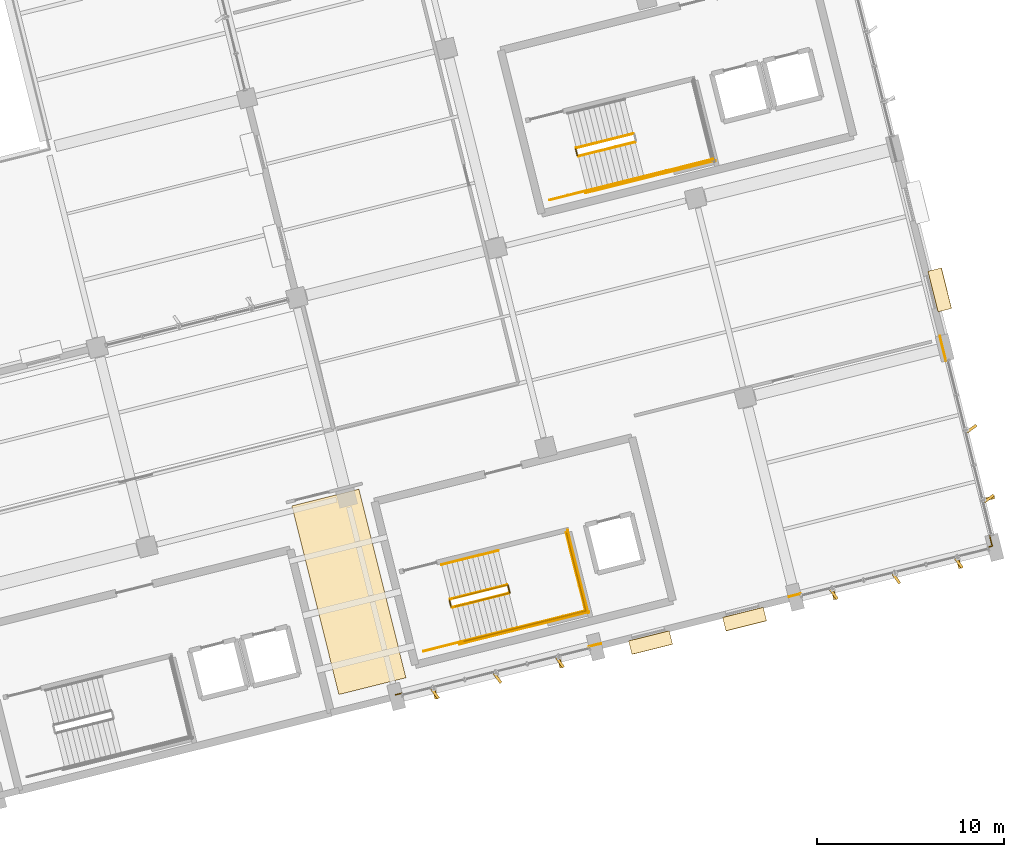
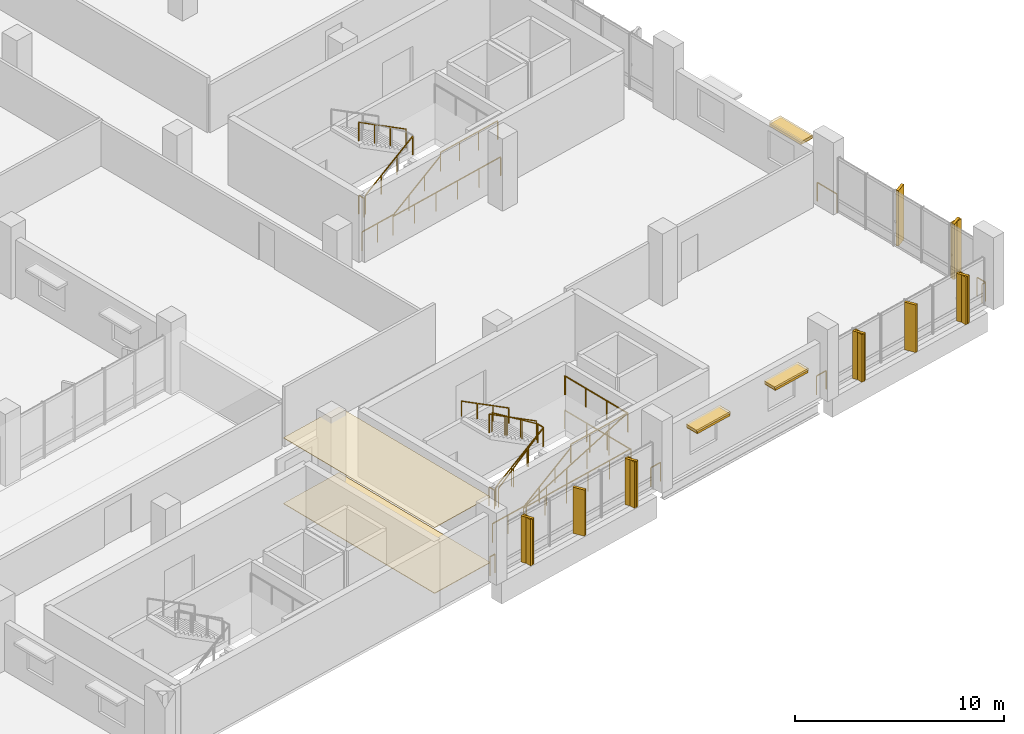
# One storey, part 73 of 75: 25 railings, 11 shading devices, 10 coverings.
"""IFC4 building model written with IfcOpenShell, lengths in metres."""

from ifc_helpers import new_model, si_unit, direction, frame, origin, origin_2d, place, context, subcontext, project, spatial, polyline, rectangle, outline, extrude, material, layer, layer_set, type_object, element, save


model = new_model("IFC4")

# Units and contexts
model_context = context("Model", 3, precision=1e-05, world=origin(), true_north=direction((0.0, 1.0)))
body_context = subcontext(model_context, "Body", "Model", "MODEL_VIEW")
ifc_project = project(units=[si_unit("LENGTHUNIT", "METRE"), si_unit("AREAUNIT", "SQUARE_METRE"), si_unit("VOLUMEUNIT", "CUBIC_METRE"), si_unit("PLANEANGLEUNIT", "RADIAN"), si_unit("MASSUNIT", "GRAM", prefix="KILO")], contexts=[model_context])

# Site, building, storey
site_placement = place(None, origin())
site = spatial("IfcSite", under=ifc_project, at=site_placement, CompositionType="ELEMENT")
building_placement = place(site_placement, origin())
building = spatial("IfcBuilding", under=site, at=building_placement, Name="Khorjan Park Terminus", CompositionType="ELEMENT")
storey_placement = place(building_placement, frame((0.0, 0.0, 16.2)))
storey = spatial("IfcBuildingStorey", under=building, at=storey_placement, Name="L03", CompositionType="ELEMENT", Elevation=16.2)

# Coverings
ifc_material_1 = material(Name="Perforated Acoustic Aluminium Baffle Ceiling", Category="aluminium")
ifc_layer_1 = layer(ifc_material_1, 0.03)
ifc_layer_set_1 = layer_set([ifc_layer_1], Name="Perforated Acoustic Aluminium Baffle Ceiling")
covering_type_1 = type_object("IfcCoveringType", Name="CV-CLG-ACS", PredefinedType="CEILING", material=ifc_layer_set_1)
covering_1_placement = place(storey_placement, frame((0.0, 0.0, 3.835)))
element("IfcCovering", 1, at=covering_1_placement, inside=storey, type_object=covering_type_1, Name="Flush acoustic baffle ceiling AC-60 (L03-BRK)", PredefinedType="CEILING", context=body_context, shape_type="SweptSolid", body=[
    extrude(outline(polyline([(198.5418, 10.9896), (194.9518, 10.0945), (192.4358, 20.1856), (196.0259, 21.0807), (198.5418, 10.9896)])), origin(), (0.0, 0.0, 1.0), 0.03),
])
ifc_material_2 = material(Name="Pigmented Precast GRC", Category="concrete")
ifc_layer_2 = layer(ifc_material_2, 0.16)
ifc_layer_set_2 = layer_set([ifc_layer_2], Name="Pigmented Precast GRC")
covering_type_2 = type_object("IfcCoveringType", Name="CV-FIN-GRC", PredefinedType="CLADDING", material=ifc_layer_set_2)
for number, where, z_axis, x_axis, name in (
    (2, (200.0981, 10.1357, -0.02), (0.0, 0.0, 1.0), (-0.2419218956, 0.970295726276, 0.0), "Projecting desert-sandstone GRC facade fin CL-FN1 (CW-V5-S-L03-B03-1)"),
    (3, (206.7867, 11.8034, -0.02), (0.0, 0.0, 1.0), (-0.2419218956, 0.970295726276, 0.0), "Projecting desert-sandstone GRC facade fin CL-FN1 (CW-V5-S-L03-B03-5)"),
):
    element("IfcCovering", number, at=place(storey_placement, frame(where, z_axis=z_axis, x_axis=x_axis)), inside=storey, type_object=covering_type_2, Name=name, PredefinedType="CLADDING", context=body_context, shape_type="SweptSolid", body=[
        extrude(rectangle(XDim=0.58, YDim=0.16, at=origin_2d()), origin(), (0.0, 0.0, 1.0), 2.69),
    ])
for number, where, z_axis, x_axis, name in (
    (4, (221.4444, 15.4579, -0.02), (0.0, 0.0, 1.0), (-0.2419218956, 0.970295726276, 0.0), "Projecting desert-sandstone GRC facade fin CL-FN1 (CW-V5-S-L03-B05-1)"),
    (5, (228.1335, 17.1257, -0.02), (0.0, 0.0, 1.0), (-0.2419218956, 0.970295726276, 0.0), "Projecting desert-sandstone GRC facade fin CL-FN1 (CW-V5-S-L03-B05-5)"),
):
    element("IfcCovering", number, at=place(storey_placement, frame(where, z_axis=z_axis, x_axis=x_axis)), inside=storey, type_object=covering_type_2, Name=name, PredefinedType="CLADDING", context=body_context, shape_type="SweptSolid", body=[
        extrude(rectangle(XDim=0.58, YDim=0.16, at=origin_2d()), origin(), (0.0, 0.0, 1.0), 2.775),
    ])
covering_2_placement = place(storey_placement, frame((229.7531, 20.5833, -0.02), z_axis=(0.0, 0.0, 1.0), x_axis=(-0.970295726276, -0.2419218956, 0.0)))
element("IfcCovering", 6, at=covering_2_placement, inside=storey, type_object=covering_type_2, Name="Projecting desert-sandstone GRC facade fin CL-FN1 (CW-V5-E-L03-B01-1)", PredefinedType="CLADDING", context=body_context, shape_type="SweptSolid", body=[
    extrude(rectangle(XDim=0.58, YDim=0.16, at=origin_2d()), origin(), (0.0, 0.0, 1.0), 3.235),
])
ifc_material_3 = material(Name="Polished Desert Limestone Terrazzo", Category="masonry")
ifc_layer_3 = layer(ifc_material_3, 0.035)
ifc_layer_set_3 = layer_set([ifc_layer_3], Name="Polished Desert Limestone Terrazzo")
covering_type_3 = type_object("IfcCoveringType", Name="CV-FLR-TRZ", PredefinedType="FLOORING", material=ifc_layer_set_3)
covering_3_placement = place(storey_placement, origin())
element("IfcCovering", 7, at=covering_3_placement, inside=storey, type_object=covering_type_3, Name="Architectural floor finish FF-TRZ (L03-BRK)", PredefinedType="FLOORING", context=body_context, shape_type="SweptSolid", body=[
    extrude(outline(polyline([(198.5418, 10.9896), (194.9518, 10.0945), (192.4358, 20.1856), (196.0259, 21.0807), (198.5418, 10.9896)])), origin(), (0.0, 0.0, 1.0), 0.035),
])
ifc_layer_4 = layer(ifc_material_2, 0.18)
ifc_layer_set_4 = layer_set([ifc_layer_4], Name="Pigmented Precast GRC")
covering_type_4 = type_object("IfcCoveringType", Name="CV-HOOD-GRC", PredefinedType="CLADDING", material=ifc_layer_set_4)
for number, where, z_axis, x_axis, name in (
    (8, (211.6326, 12.8725, 2.58), (0.0, 0.0, 1.0), (0.970297165188, 0.241916124366, 0.0), "Projecting desert-sandstone GRC window eyebrow CL-HD1 (EW-V5-S-L03-B04-1)"),
    (9, (216.6635, 14.1268, 2.58), (0.0, 0.0, 1.0), (0.970297165188, 0.241916124366, 0.0), "Projecting desert-sandstone GRC window eyebrow CL-HD1 (EW-V5-S-L03-B04-2)"),
    (10, (227.1081, 31.7494, 2.58), (0.0, 0.0, 1.0), (-0.241919949632, 0.970296211458, 0.0), "Projecting desert-sandstone GRC window eyebrow CL-HD1 (EW-V5-E-L03-B02-1)"),
):
    element("IfcCovering", number, at=place(storey_placement, frame(where, z_axis=z_axis, x_axis=x_axis)), inside=storey, type_object=covering_type_4, Name=name, PredefinedType="CLADDING", context=body_context, shape_type="SweptSolid", body=[
        extrude(rectangle(XDim=2.24, YDim=0.74, at=origin_2d()), origin(), (0.0, 0.0, 1.0), 0.16),
    ])

# Railings
ifc_material_4 = material(Name="Steel S355", Category="steel")
railing_type_1 = type_object("IfcRailingType", Name="GR-112", PredefinedType="GUARDRAIL", material=ifc_material_4)
railing_1_placement = place(storey_placement, frame((207.7735, 38.902, 0.175)))
element("IfcRailing", 11, at=railing_1_placement, inside=storey, type_object=railing_type_1, Name="L03 ST-04 stair guard 1", PredefinedType="GUARDRAIL", context=body_context, shape_type="SweptSolid", body=[
    extrude(rectangle(XDim=0.048, YDim=0.048, at=origin_2d()), frame((0.0, 0.0, 1.096), z_axis=(0.826848000136, 0.206181934415, 0.523269906063), x_axis=(-0.241950149517, 0.970288681346, 0.0)), (0.0, 0.0, 1.0), 3.6788),
    extrude(rectangle(XDim=0.042, YDim=0.042, at=origin_2d()), origin(), (0.0, 0.0, 1.0), 1.072),
    extrude(rectangle(XDim=0.042, YDim=0.042, at=origin_2d()), frame((1.0139, 0.2528, 0.6417)), (0.0, 0.0, 1.0), 1.072),
    extrude(rectangle(XDim=0.042, YDim=0.042, at=origin_2d()), frame((2.0279, 0.5057, 1.2833)), (0.0, 0.0, 1.0), 1.072),
    extrude(rectangle(XDim=0.042, YDim=0.042, at=origin_2d()), frame((3.0418, 0.7585, 1.925)), (0.0, 0.0, 1.0), 1.072),
])
railing_2_placement = place(storey_placement, frame((211.275, 37.8169, 2.1)))
element("IfcRailing", 12, at=railing_2_placement, inside=storey, type_object=railing_type_1, Name="L03 ST-04 stair guard 3", PredefinedType="GUARDRAIL", context=body_context, shape_type="SweptSolid", body=[
    extrude(rectangle(XDim=0.048, YDim=0.048, at=origin_2d()), frame((0.0, 0.0, 1.096), z_axis=(0.970296897562, 0.241917197781, 0.0), x_axis=(-0.241917197781, 0.970296897562, 0.0)), (0.0, 0.0, 1.0), 3.805),
    extrude(rectangle(XDim=0.042, YDim=0.042, at=origin_2d()), origin(), (0.0, 0.0, 1.0), 1.072),
    extrude(rectangle(XDim=0.042, YDim=0.042, at=origin_2d()), frame((1.2307, 0.3068, 0.0)), (0.0, 0.0, 1.0), 1.072),
    extrude(rectangle(XDim=0.042, YDim=0.042, at=origin_2d()), frame((2.4613, 0.6137, 0.0)), (0.0, 0.0, 1.0), 1.072),
    extrude(rectangle(XDim=0.042, YDim=0.042, at=origin_2d()), frame((3.692, 0.9205, 0.0)), (0.0, 0.0, 1.0), 1.072),
])
railing_3_placement = place(storey_placement, frame((210.7041, 40.1068, 2.275)))
element("IfcRailing", 13, at=railing_3_placement, inside=storey, type_object=railing_type_1, Name="L03 ST-04 stair guard 5", PredefinedType="GUARDRAIL", context=body_context, shape_type="SweptSolid", body=[
    extrude(rectangle(XDim=0.048, YDim=0.048, at=origin_2d()), frame((0.0, 0.0, 1.096), z_axis=(-0.826861232128, -0.206151273364, 0.523261077565), x_axis=(0.241912630498, -0.970298036278, 0.0)), (0.0, 0.0, 1.0), 3.6789),
    extrude(rectangle(XDim=0.042, YDim=0.042, at=origin_2d()), origin(), (0.0, 0.0, 1.0), 1.072),
    extrude(rectangle(XDim=0.042, YDim=0.042, at=origin_2d()), frame((-1.014, -0.2528, 0.6417)), (0.0, 0.0, 1.0), 1.072),
    extrude(rectangle(XDim=0.042, YDim=0.042, at=origin_2d()), frame((-2.0279, -0.5056, 1.2833)), (0.0, 0.0, 1.0), 1.072),
    extrude(rectangle(XDim=0.042, YDim=0.042, at=origin_2d()), frame((-3.0419, -0.7584, 1.925)), (0.0, 0.0, 1.0), 1.072),
])
railing_4_placement = place(storey_placement, frame((207.7129, 38.9385, 0.0)))
element("IfcRailing", 14, at=railing_4_placement, inside=storey, type_object=railing_type_1, Name="L03 ST-04 stair guard 6", PredefinedType="GUARDRAIL", context=body_context, shape_type="SweptSolid", body=[
    extrude(rectangle(XDim=0.048, YDim=0.048, at=origin_2d()), frame((0.0, 0.0, 1.096), z_axis=(-0.241947338122, 0.970289382388, 0.0), x_axis=(-0.970289382388, -0.241947338122, 0.0)), (0.0, 0.0, 1.0), 0.36),
    extrude(rectangle(XDim=0.042, YDim=0.042, at=origin_2d()), origin(), (0.0, 0.0, 1.0), 1.072),
    extrude(rectangle(XDim=0.042, YDim=0.042, at=origin_2d()), frame((-0.0871, 0.3493, 0.0)), (0.0, 0.0, 1.0), 1.072),
])
railing_5_placement = place(storey_placement, frame((206.2343, 36.5601, 0.0)))
element("IfcRailing", 15, at=railing_5_placement, inside=storey, type_object=railing_type_1, Name="L03 ST-04 stair guard 7", PredefinedType="GUARDRAIL", context=body_context, shape_type="SweptSolid", body=[
    extrude(rectangle(XDim=0.048, YDim=0.048, at=origin_2d()), frame((0.0, 0.0, 1.096), z_axis=(0.97029080484, 0.241941633546, 0.0), x_axis=(-0.241941633546, 0.97029080484, 0.0)), (0.0, 0.0, 1.0), 2.06),
    extrude(rectangle(XDim=0.042, YDim=0.042, at=origin_2d()), origin(), (0.0, 0.0, 1.0), 1.072),
    extrude(rectangle(XDim=0.042, YDim=0.042, at=origin_2d()), frame((0.9994, 0.2492, 0.0)), (0.0, 0.0, 1.0), 1.072),
    extrude(rectangle(XDim=0.042, YDim=0.042, at=origin_2d()), frame((1.9988, 0.4984, 0.0)), (0.0, 0.0, 1.0), 1.072),
])
railing_6_placement = place(storey_placement, frame((208.1603, 36.9373, 0.0)))
element("IfcRailing", 16, at=railing_6_placement, inside=storey, type_object=railing_type_1, Name="L03 ST-04 stair guard 8", PredefinedType="GUARDRAIL", context=body_context, shape_type="SweptSolid", body=[
    extrude(rectangle(XDim=0.048, YDim=0.048, at=origin_2d()), frame((0.0, 0.0, 1.096), z_axis=(0.970296366402, 0.241919328178, 0.0), x_axis=(-0.241919328178, 0.970296366402, 0.0)), (0.0, 0.0, 1.0), 7.14),
    extrude(rectangle(XDim=0.042, YDim=0.042, at=origin_2d()), origin(), (0.0, 0.0, 1.0), 1.072),
    extrude(rectangle(XDim=0.042, YDim=0.042, at=origin_2d()), frame((1.3856, 0.3455, 0.0)), (0.0, 0.0, 1.0), 1.072),
    extrude(rectangle(XDim=0.042, YDim=0.042, at=origin_2d()), frame((2.7712, 0.6909, 0.0)), (0.0, 0.0, 1.0), 1.072),
    extrude(rectangle(XDim=0.042, YDim=0.042, at=origin_2d()), frame((4.1567, 1.0364, 0.0)), (0.0, 0.0, 1.0), 1.072),
    extrude(rectangle(XDim=0.042, YDim=0.042, at=origin_2d()), frame((5.5423, 1.3818, 0.0)), (0.0, 0.0, 1.0), 1.072),
    extrude(rectangle(XDim=0.042, YDim=0.042, at=origin_2d()), frame((6.9279, 1.7273, 0.0)), (0.0, 0.0, 1.0), 1.072),
])
railing_7_placement = place(storey_placement, frame((201.0157, 14.7497, 0.175)))
element("IfcRailing", 17, at=railing_7_placement, inside=storey, type_object=railing_type_1, Name="L03 ST-05 stair guard 1", PredefinedType="GUARDRAIL", context=body_context, shape_type="SweptSolid", body=[
    extrude(rectangle(XDim=0.048, YDim=0.048, at=origin_2d()), frame((0.0, 0.0, 1.096), z_axis=(0.826848000136, 0.206181934415, 0.523269906063), x_axis=(-0.241950149517, 0.970288681346, 0.0)), (0.0, 0.0, 1.0), 3.6788),
    extrude(rectangle(XDim=0.042, YDim=0.042, at=origin_2d()), origin(), (0.0, 0.0, 1.0), 1.072),
    extrude(rectangle(XDim=0.042, YDim=0.042, at=origin_2d()), frame((1.0139, 0.2528, 0.6417)), (0.0, 0.0, 1.0), 1.072),
    extrude(rectangle(XDim=0.042, YDim=0.042, at=origin_2d()), frame((2.0279, 0.5057, 1.2833)), (0.0, 0.0, 1.0), 1.072),
    extrude(rectangle(XDim=0.042, YDim=0.042, at=origin_2d()), frame((3.0418, 0.7585, 1.925)), (0.0, 0.0, 1.0), 1.072),
])
railing_8_placement = place(storey_placement, frame((204.094, 15.5688, 2.1)))
element("IfcRailing", 18, at=railing_8_placement, inside=storey, type_object=railing_type_1, Name="L03 ST-05 stair guard 2", PredefinedType="GUARDRAIL", context=body_context, shape_type="SweptSolid", body=[
    extrude(rectangle(XDim=0.048, YDim=0.048, at=origin_2d()), frame((0.0, 0.0, 1.096), z_axis=(-0.241947338122, 0.970289382388, 0.0), x_axis=(-0.970289382388, -0.241947338122, 0.0)), (0.0, 0.0, 1.0), 0.36),
    extrude(rectangle(XDim=0.042, YDim=0.042, at=origin_2d()), origin(), (0.0, 0.0, 1.0), 1.072),
    extrude(rectangle(XDim=0.042, YDim=0.042, at=origin_2d()), frame((-0.0871, 0.3493, 0.0)), (0.0, 0.0, 1.0), 1.072),
])
railing_9_placement = place(storey_placement, frame((204.5172, 13.6646, 2.1)))
element("IfcRailing", 19, at=railing_9_placement, inside=storey, type_object=railing_type_1, Name="L03 ST-05 stair guard 3", PredefinedType="GUARDRAIL", context=body_context, shape_type="SweptSolid", body=[
    extrude(rectangle(XDim=0.048, YDim=0.048, at=origin_2d()), frame((0.0, 0.0, 1.096), z_axis=(0.970296897562, 0.241917197781, 0.0), x_axis=(-0.241917197781, 0.970296897562, 0.0)), (0.0, 0.0, 1.0), 3.805),
    extrude(rectangle(XDim=0.042, YDim=0.042, at=origin_2d()), origin(), (0.0, 0.0, 1.0), 1.072),
    extrude(rectangle(XDim=0.042, YDim=0.042, at=origin_2d()), frame((1.2307, 0.3068, 0.0)), (0.0, 0.0, 1.0), 1.072),
    extrude(rectangle(XDim=0.042, YDim=0.042, at=origin_2d()), frame((2.4613, 0.6137, 0.0)), (0.0, 0.0, 1.0), 1.072),
    extrude(rectangle(XDim=0.042, YDim=0.042, at=origin_2d()), frame((3.692, 0.9205, 0.0)), (0.0, 0.0, 1.0), 1.072),
])
railing_10_placement = place(storey_placement, frame((208.1727, 14.5245, 2.1)))
element("IfcRailing", 20, at=railing_10_placement, inside=storey, type_object=railing_type_1, Name="L03 ST-05 stair guard 4", PredefinedType="GUARDRAIL", context=body_context, shape_type="SweptSolid", body=[
    extrude(rectangle(XDim=0.048, YDim=0.048, at=origin_2d()), frame((0.0, 0.0, 1.096), z_axis=(-0.241904163851, 0.970300147125, 0.0), x_axis=(-0.970300147125, -0.241904163851, 0.0)), (0.0, 0.0, 1.0), 4.36),
    extrude(rectangle(XDim=0.042, YDim=0.042, at=origin_2d()), origin(), (0.0, 0.0, 1.0), 1.072),
    extrude(rectangle(XDim=0.042, YDim=0.042, at=origin_2d()), frame((-0.3516, 1.4102, 0.0)), (0.0, 0.0, 1.0), 1.072),
    extrude(rectangle(XDim=0.042, YDim=0.042, at=origin_2d()), frame((-0.7031, 2.8203, 0.0)), (0.0, 0.0, 1.0), 1.072),
    extrude(rectangle(XDim=0.042, YDim=0.042, at=origin_2d()), frame((-1.0547, 4.2305, 0.0)), (0.0, 0.0, 1.0), 1.072),
])
railing_11_placement = place(storey_placement, frame((203.9463, 15.9545, 2.275)))
element("IfcRailing", 21, at=railing_11_placement, inside=storey, type_object=railing_type_1, Name="L03 ST-05 stair guard 5", PredefinedType="GUARDRAIL", context=body_context, shape_type="SweptSolid", body=[
    extrude(rectangle(XDim=0.048, YDim=0.048, at=origin_2d()), frame((0.0, 0.0, 1.096), z_axis=(-0.826861232128, -0.206151273364, 0.523261077565), x_axis=(0.241912630498, -0.970298036278, 0.0)), (0.0, 0.0, 1.0), 3.6789),
    extrude(rectangle(XDim=0.042, YDim=0.042, at=origin_2d()), origin(), (0.0, 0.0, 1.0), 1.072),
    extrude(rectangle(XDim=0.042, YDim=0.042, at=origin_2d()), frame((-1.014, -0.2528, 0.6417)), (0.0, 0.0, 1.0), 1.072),
    extrude(rectangle(XDim=0.042, YDim=0.042, at=origin_2d()), frame((-2.0279, -0.5056, 1.2833)), (0.0, 0.0, 1.0), 1.072),
    extrude(rectangle(XDim=0.042, YDim=0.042, at=origin_2d()), frame((-3.0419, -0.7584, 1.925)), (0.0, 0.0, 1.0), 1.072),
])
railing_12_placement = place(storey_placement, frame((200.9551, 14.7862, 0.0)))
element("IfcRailing", 22, at=railing_12_placement, inside=storey, type_object=railing_type_1, Name="L03 ST-05 stair guard 6", PredefinedType="GUARDRAIL", context=body_context, shape_type="SweptSolid", body=[
    extrude(rectangle(XDim=0.048, YDim=0.048, at=origin_2d()), frame((0.0, 0.0, 1.096), z_axis=(-0.241947338122, 0.970289382388, 0.0), x_axis=(-0.970289382388, -0.241947338122, 0.0)), (0.0, 0.0, 1.0), 0.36),
    extrude(rectangle(XDim=0.042, YDim=0.042, at=origin_2d()), origin(), (0.0, 0.0, 1.0), 1.072),
    extrude(rectangle(XDim=0.042, YDim=0.042, at=origin_2d()), frame((-0.0871, 0.3493, 0.0)), (0.0, 0.0, 1.0), 1.072),
])
railing_13_placement = place(storey_placement, frame((199.4765, 12.4078, 0.0)))
element("IfcRailing", 23, at=railing_13_placement, inside=storey, type_object=railing_type_1, Name="L03 ST-05 stair guard 7", PredefinedType="GUARDRAIL", context=body_context, shape_type="SweptSolid", body=[
    extrude(rectangle(XDim=0.048, YDim=0.048, at=origin_2d()), frame((0.0, 0.0, 1.096), z_axis=(0.97029080484, 0.241941633546, 0.0), x_axis=(-0.241941633546, 0.97029080484, 0.0)), (0.0, 0.0, 1.0), 2.06),
    extrude(rectangle(XDim=0.042, YDim=0.042, at=origin_2d()), origin(), (0.0, 0.0, 1.0), 1.072),
    extrude(rectangle(XDim=0.042, YDim=0.042, at=origin_2d()), frame((0.9994, 0.2492, 0.0)), (0.0, 0.0, 1.0), 1.072),
    extrude(rectangle(XDim=0.042, YDim=0.042, at=origin_2d()), frame((1.9988, 0.4984, 0.0)), (0.0, 0.0, 1.0), 1.072),
])
railing_14_placement = place(storey_placement, frame((201.4025, 12.785, 0.0)))
element("IfcRailing", 24, at=railing_14_placement, inside=storey, type_object=railing_type_1, Name="L03 ST-05 stair guard 8", PredefinedType="GUARDRAIL", context=body_context, shape_type="SweptSolid", body=[
    extrude(rectangle(XDim=0.048, YDim=0.048, at=origin_2d()), frame((0.0, 0.0, 1.096), z_axis=(0.970296366402, 0.241919328178, 0.0), x_axis=(-0.241919328178, 0.970296366402, 0.0)), (0.0, 0.0, 1.0), 7.14),
    extrude(rectangle(XDim=0.042, YDim=0.042, at=origin_2d()), origin(), (0.0, 0.0, 1.0), 1.072),
    extrude(rectangle(XDim=0.042, YDim=0.042, at=origin_2d()), frame((1.3856, 0.3455, 0.0)), (0.0, 0.0, 1.0), 1.072),
    extrude(rectangle(XDim=0.042, YDim=0.042, at=origin_2d()), frame((2.7712, 0.6909, 0.0)), (0.0, 0.0, 1.0), 1.072),
    extrude(rectangle(XDim=0.042, YDim=0.042, at=origin_2d()), frame((4.1567, 1.0364, 0.0)), (0.0, 0.0, 1.0), 1.072),
    extrude(rectangle(XDim=0.042, YDim=0.042, at=origin_2d()), frame((5.5423, 1.3818, 0.0)), (0.0, 0.0, 1.0), 1.072),
    extrude(rectangle(XDim=0.042, YDim=0.042, at=origin_2d()), frame((6.9279, 1.7273, 0.0)), (0.0, 0.0, 1.0), 1.072),
])
railing_15_placement = place(storey_placement, frame((208.294, 14.4517, 0.0)))
element("IfcRailing", 25, at=railing_15_placement, inside=storey, type_object=railing_type_1, Name="L03 ST-05 stair guard 9", PredefinedType="GUARDRAIL", context=body_context, shape_type="SweptSolid", body=[
    extrude(rectangle(XDim=0.048, YDim=0.048, at=origin_2d()), frame((0.0, 0.0, 1.096), z_axis=(-0.24193185783, 0.970293242359, 0.0), x_axis=(-0.970293242359, -0.24193185783, 0.0)), (0.0, 0.0, 1.0), 4.56),
    extrude(rectangle(XDim=0.042, YDim=0.042, at=origin_2d()), origin(), (0.0, 0.0, 1.0), 1.072),
    extrude(rectangle(XDim=0.042, YDim=0.042, at=origin_2d()), frame((-0.3677, 1.4748, 0.0)), (0.0, 0.0, 1.0), 1.072),
    extrude(rectangle(XDim=0.042, YDim=0.042, at=origin_2d()), frame((-0.7355, 2.9497, 0.0)), (0.0, 0.0, 1.0), 1.072),
    extrude(rectangle(XDim=0.042, YDim=0.042, at=origin_2d()), frame((-1.1032, 4.4245, 0.0)), (0.0, 0.0, 1.0), 1.072),
])
railing_16_placement = place(storey_placement, frame((201.1879, 14.803, 0.0)))
element("IfcRailing", 26, at=railing_16_placement, inside=storey, type_object=railing_type_1, Name="Core K5 stair well slot guard GR-112 (L03)", PredefinedType="GUARDRAIL", context=body_context, shape_type="SweptSolid", body=[
    extrude(rectangle(XDim=0.048, YDim=0.048, at=origin_2d()), frame((0.0, 0.0, 1.096), z_axis=(0.79445963012, 0.198068135589, 0.57411053794), x_axis=(-0.241907065545, 0.970299423704, 0.0)), (0.0, 0.0, 1.0), 3.6578),
    extrude(rectangle(XDim=0.048, YDim=0.048, at=origin_2d()), frame((2.906, 0.7245, 3.196), z_axis=(-0.241786986315, 0.970329352977, 0.0), x_axis=(-0.970329352977, -0.241786986315, 0.0)), (0.0, 0.0, 1.0), 0.4401),
    extrude(rectangle(XDim=0.048, YDim=0.048, at=origin_2d()), frame((2.7996, 1.1515, 3.196), z_axis=(-0.79446541114, -0.198090099072, 0.574094960047), x_axis=(0.241930662851, -0.970293540313, 0.0)), (0.0, 0.0, 1.0), 3.6579),
    extrude(rectangle(XDim=0.042, YDim=0.042, at=origin_2d()), origin(), (0.0, 0.0, 1.0), 1.072),
    extrude(rectangle(XDim=0.042, YDim=0.042, at=origin_2d()), frame((0.9687, 0.2415, 0.7)), (0.0, 0.0, 1.0), 1.072),
    extrude(rectangle(XDim=0.042, YDim=0.042, at=origin_2d()), frame((1.9373, 0.483, 1.4)), (0.0, 0.0, 1.0), 1.072),
    extrude(rectangle(XDim=0.042, YDim=0.042, at=origin_2d()), frame((2.906, 0.7245, 2.1)), (0.0, 0.0, 1.0), 1.072),
    extrude(rectangle(XDim=0.042, YDim=0.042, at=origin_2d()), frame((2.7996, 1.1515, 2.1)), (0.0, 0.0, 1.0), 1.072),
    extrude(rectangle(XDim=0.042, YDim=0.042, at=origin_2d()), frame((1.8309, 0.91, 2.8)), (0.0, 0.0, 1.0), 1.072),
    extrude(rectangle(XDim=0.042, YDim=0.042, at=origin_2d()), frame((0.8622, 0.6684, 3.5)), (0.0, 0.0, 1.0), 1.072),
    extrude(rectangle(XDim=0.042, YDim=0.042, at=origin_2d()), frame((-0.1065, 0.4269, 4.2)), (0.0, 0.0, 1.0), 1.072),
])
railing_17_placement = place(storey_placement, frame((201.6524, 12.94, 0.0)))
element("IfcRailing", 27, at=railing_17_placement, inside=storey, type_object=railing_type_1, Name="Core K5 stair side & landing guard GR-112 (L03)", PredefinedType="GUARDRAIL", context=body_context, shape_type="SweptSolid", body=[
    extrude(rectangle(XDim=0.048, YDim=0.048, at=origin_2d()), frame((0.0, 0.0, 1.096), z_axis=(0.926128560381, 0.230907183702, 0.298274642169), x_axis=(-0.241919330403, 0.970296365848, 0.0)), (0.0, 0.0, 1.0), 7.0405),
    extrude(rectangle(XDim=0.048, YDim=0.048, at=origin_2d()), frame((6.5204, 1.6257, 3.196), z_axis=(-0.2419363556, 0.970292120879, 0.0), x_axis=(-0.970292120879, -0.2419363556, 0.0)), (0.0, 0.0, 1.0), 4.2801),
    extrude(rectangle(XDim=0.042, YDim=0.042, at=origin_2d()), origin(), (0.0, 0.0, 1.0), 1.072),
    extrude(rectangle(XDim=0.042, YDim=0.042, at=origin_2d()), frame((1.3041, 0.3251, 0.42)), (0.0, 0.0, 1.0), 1.072),
    extrude(rectangle(XDim=0.042, YDim=0.042, at=origin_2d()), frame((2.6082, 0.6503, 0.84)), (0.0, 0.0, 1.0), 1.072),
    extrude(rectangle(XDim=0.042, YDim=0.042, at=origin_2d()), frame((3.9122, 0.9754, 1.26)), (0.0, 0.0, 1.0), 1.072),
    extrude(rectangle(XDim=0.042, YDim=0.042, at=origin_2d()), frame((5.2163, 1.3006, 1.68)), (0.0, 0.0, 1.0), 1.072),
    extrude(rectangle(XDim=0.042, YDim=0.042, at=origin_2d()), frame((6.5204, 1.6257, 2.1)), (0.0, 0.0, 1.0), 1.072),
    extrude(rectangle(XDim=0.042, YDim=0.042, at=origin_2d()), frame((6.1752, 3.01, 2.1)), (0.0, 0.0, 1.0), 1.072),
    extrude(rectangle(XDim=0.042, YDim=0.042, at=origin_2d()), frame((5.8301, 4.3943, 2.1)), (0.0, 0.0, 1.0), 1.072),
    extrude(rectangle(XDim=0.042, YDim=0.042, at=origin_2d()), frame((5.4849, 5.7786, 2.1)), (0.0, 0.0, 1.0), 1.072),
])
railing_18_placement = place(storey_placement, frame((198.3159, 10.1603, 0.0)))
element("IfcRailing", 28, at=railing_18_placement, inside=storey, type_object=railing_type_1, Name="Perimeter safety guard GR-112 (L03-82)", PredefinedType="GUARDRAIL", context=body_context, shape_type="SweptSolid", body=[
    extrude(rectangle(XDim=0.048, YDim=0.048, at=origin_2d()), frame((0.0, 0.0, 1.096), z_axis=(-0.970267105456, -0.242036658526, 0.0), x_axis=(0.242036658526, -0.970267105456, 0.0)), (0.0, 0.0, 1.0), 0.3301),
    extrude(rectangle(XDim=0.042, YDim=0.042, at=origin_2d()), origin(), (0.0, 0.0, 1.0), 1.072),
    extrude(rectangle(XDim=0.042, YDim=0.042, at=origin_2d()), frame((-0.3203, -0.0799, 0.0)), (0.0, 0.0, 1.0), 1.072),
])
railing_19_placement = place(storey_placement, frame((208.9745, 12.8178, 0.0)))
element("IfcRailing", 29, at=railing_19_placement, inside=storey, type_object=railing_type_1, Name="Perimeter safety guard GR-112 (L03-84)", PredefinedType="GUARDRAIL", context=body_context, shape_type="SweptSolid", body=[
    extrude(rectangle(XDim=0.048, YDim=0.048, at=origin_2d()), frame((0.0, 0.0, 1.096), z_axis=(-0.970306449081, -0.241878884718, 0.0), x_axis=(0.241878884718, -0.970306449081, 0.0)), (0.0, 0.0, 1.0), 0.645),
    extrude(rectangle(XDim=0.042, YDim=0.042, at=origin_2d()), origin(), (0.0, 0.0, 1.0), 1.072),
    extrude(rectangle(XDim=0.042, YDim=0.042, at=origin_2d()), frame((-0.6258, -0.156, 0.0)), (0.0, 0.0, 1.0), 1.072),
])
railing_20_placement = place(storey_placement, frame((219.6621, 15.4825, 0.0)))
element("IfcRailing", 30, at=railing_20_placement, inside=storey, type_object=railing_type_1, Name="Perimeter safety guard GR-112 (L03-87)", PredefinedType="GUARDRAIL", context=body_context, shape_type="SweptSolid", body=[
    extrude(rectangle(XDim=0.048, YDim=0.048, at=origin_2d()), frame((0.0, 0.0, 1.096), z_axis=(-0.970279129475, -0.241988452007, 0.0), x_axis=(0.241988452007, -0.970279129475, 0.0)), (0.0, 0.0, 1.0), 0.6451),
    extrude(rectangle(XDim=0.042, YDim=0.042, at=origin_2d()), origin(), (0.0, 0.0, 1.0), 1.072),
    extrude(rectangle(XDim=0.042, YDim=0.042, at=origin_2d()), frame((-0.6259, -0.1561, 0.0)), (0.0, 0.0, 1.0), 1.072),
])
railing_21_placement = place(storey_placement, frame((227.1205, 29.2611, 0.0)))
element("IfcRailing", 31, at=railing_21_placement, inside=storey, type_object=railing_type_1, Name="Perimeter safety guard GR-112 (L03-91)", PredefinedType="GUARDRAIL", context=body_context, shape_type="SweptSolid", body=[
    extrude(rectangle(XDim=0.048, YDim=0.048, at=origin_2d()), frame((0.0, 0.0, 1.096), z_axis=(0.241870763547, -0.970308473498, 0.0), x_axis=(0.970308473498, 0.241870763547, 0.0)), (0.0, 0.0, 1.0), 1.3449),
    extrude(rectangle(XDim=0.042, YDim=0.042, at=origin_2d()), origin(), (0.0, 0.0, 1.0), 1.072),
    extrude(rectangle(XDim=0.042, YDim=0.042, at=origin_2d()), frame((0.3253, -1.305, 0.0)), (0.0, 0.0, 1.0), 1.072),
])
railing_22_placement = place(storey_placement, frame((229.7779, 18.6025, 0.0)))
element("IfcRailing", 32, at=railing_22_placement, inside=storey, type_object=railing_type_1, Name="Perimeter safety guard GR-112 (L03-92)", PredefinedType="GUARDRAIL", context=body_context, shape_type="SweptSolid", body=[
    extrude(rectangle(XDim=0.048, YDim=0.048, at=origin_2d()), frame((0.0, 0.0, 1.096), z_axis=(0.242008337937, -0.970274169691, 0.0), x_axis=(0.970274169691, 0.242008337937, 0.0)), (0.0, 0.0, 1.0), 0.5801),
    extrude(rectangle(XDim=0.048, YDim=0.048, at=origin_2d()), frame((0.1404, -0.5629, 1.096), z_axis=(-0.970321643882, -0.241817922027, 0.0), x_axis=(0.241817922027, -0.970321643882, 0.0)), (0.0, 0.0, 1.0), 0.2295),
    extrude(rectangle(XDim=0.042, YDim=0.042, at=origin_2d()), origin(), (0.0, 0.0, 1.0), 1.072),
    extrude(rectangle(XDim=0.042, YDim=0.042, at=origin_2d()), frame((0.1404, -0.5629, 0.0)), (0.0, 0.0, 1.0), 1.072),
    extrude(rectangle(XDim=0.042, YDim=0.042, at=origin_2d()), frame((-0.0823, -0.6184, 0.0)), (0.0, 0.0, 1.0), 1.072),
])
railing_type_2 = type_object("IfcRailingType", Name="HR-92", PredefinedType="HANDRAIL", material=ifc_material_4)
for number, where, name in (
    (33, (208.2331, 37.0585, 0.175), "L03 ST-04 stair handrail 1"),
    (34, (201.4753, 12.9062, 0.175), "L03 ST-05 stair handrail 1"),
):
    element("IfcRailing", number, at=place(storey_placement, frame(where)), inside=storey, type_object=railing_type_2, Name=name, PredefinedType="HANDRAIL", context=body_context, shape_type="SweptSolid", body=[
        extrude(rectangle(XDim=0.048, YDim=0.048, at=origin_2d()), frame((0.0, 0.0, 0.896), z_axis=(0.826861232128, 0.206151273364, 0.523261077565), x_axis=(-0.241912630498, 0.970298036278, 0.0)), (0.0, 0.0, 1.0), 3.6789),
        extrude(rectangle(XDim=0.042, YDim=0.042, at=origin_2d()), origin(), (0.0, 0.0, 1.0), 0.872),
        extrude(rectangle(XDim=0.042, YDim=0.042, at=origin_2d()), frame((1.014, 0.2528, 0.6417)), (0.0, 0.0, 1.0), 0.872),
        extrude(rectangle(XDim=0.042, YDim=0.042, at=origin_2d()), frame((2.0279, 0.5056, 1.2833)), (0.0, 0.0, 1.0), 0.872),
        extrude(rectangle(XDim=0.042, YDim=0.042, at=origin_2d()), frame((3.0419, 0.7584, 1.925)), (0.0, 0.0, 1.0), 0.872),
    ])
railing_23_placement = place(storey_placement, frame((203.4866, 17.7981, 2.275)))
element("IfcRailing", 35, at=railing_23_placement, inside=storey, type_object=railing_type_2, Name="L03 ST-05 stair handrail 2", PredefinedType="HANDRAIL", context=body_context, shape_type="SweptSolid", body=[
    extrude(rectangle(XDim=0.048, YDim=0.048, at=origin_2d()), frame((0.0, 0.0, 0.896), z_axis=(-0.826856598391, -0.206177300332, 0.523258145206), x_axis=(0.241942661201, -0.970290548594, 0.0)), (0.0, 0.0, 1.0), 3.6789),
    extrude(rectangle(XDim=0.042, YDim=0.042, at=origin_2d()), origin(), (0.0, 0.0, 1.0), 0.872),
    extrude(rectangle(XDim=0.042, YDim=0.042, at=origin_2d()), frame((-1.014, -0.2528, 0.6417)), (0.0, 0.0, 1.0), 0.872),
    extrude(rectangle(XDim=0.042, YDim=0.042, at=origin_2d()), frame((-2.0279, -0.5057, 1.2833)), (0.0, 0.0, 1.0), 0.872),
    extrude(rectangle(XDim=0.042, YDim=0.042, at=origin_2d()), frame((-3.0419, -0.7585, 1.925)), (0.0, 0.0, 1.0), 0.872),
])

# Shading devices
ifc_material_5 = material(Name="Anodized Bronze Aluminium", Category="aluminium")
shading_device_type_1 = type_object("IfcShadingDeviceType", Name="SD-FIN-620", PredefinedType="JALOUSIE", material=ifc_material_5)
for number, where, z_axis, x_axis, name in (
    (36, (200.0981, 10.1357, -0.02), (0.0, 0.0, 1.0), (-0.587785252292, 0.809016994375, 0.0), "Angled solar brise-soleil fin SF-62 (CW-V5-S-L03-B03-1)"),
    (37, (203.4424, 10.9695, -0.02), (0.0, 0.0, 1.0), (-0.587785252292, 0.809016994375, 0.0), "Angled solar brise-soleil fin SF-62 (CW-V5-S-L03-B03-3)"),
    (38, (206.7867, 11.8034, -0.02), (0.0, 0.0, 1.0), (-0.587785252292, 0.809016994375, 0.0), "Angled solar brise-soleil fin SF-62 (CW-V5-S-L03-B03-5)"),
):
    element("IfcShadingDevice", number, at=place(storey_placement, frame(where, z_axis=z_axis, x_axis=x_axis)), inside=storey, type_object=shading_device_type_1, Name=name, PredefinedType="JALOUSIE", context=body_context, shape_type="SweptSolid", body=[
        extrude(rectangle(XDim=0.62, YDim=0.14, at=origin_2d()), origin(), (0.0, 0.0, 1.0), 2.69),
    ])
for number, where, z_axis, x_axis, name in (
    (39, (221.4444, 15.4579, -0.02), (0.0, 0.0, 1.0), (-0.587785252292, 0.809016994375, 0.0), "Angled solar brise-soleil fin SF-62 (CW-V5-S-L03-B05-1)"),
    (40, (224.7889, 16.2918, -0.02), (0.0, 0.0, 1.0), (-0.587785252292, 0.809016994375, 0.0), "Angled solar brise-soleil fin SF-62 (CW-V5-S-L03-B05-3)"),
    (41, (228.1335, 17.1257, -0.02), (0.0, 0.0, 1.0), (-0.587785252292, 0.809016994375, 0.0), "Angled solar brise-soleil fin SF-62 (CW-V5-S-L03-B05-5)"),
):
    element("IfcShadingDevice", number, at=place(storey_placement, frame(where, z_axis=z_axis, x_axis=x_axis)), inside=storey, type_object=shading_device_type_1, Name=name, PredefinedType="JALOUSIE", context=body_context, shape_type="SweptSolid", body=[
        extrude(rectangle(XDim=0.62, YDim=0.14, at=origin_2d()), origin(), (0.0, 0.0, 1.0), 2.775),
    ])
for number, where, z_axis, x_axis, name in (
    (42, (229.7531, 20.5833, -0.02), (0.0, 0.0, 1.0), (-0.809016994375, -0.587785252292, 0.0), "Angled solar brise-soleil fin SF-62 (CW-V5-E-L03-B01-1)"),
    (43, (228.8202, 24.3248, -0.02), (0.0, 0.0, 1.0), (-0.809016994375, -0.587785252292, 0.0), "Angled solar brise-soleil fin SF-62 (CW-V5-E-L03-B01-3)"),
):
    element("IfcShadingDevice", number, at=place(storey_placement, frame(where, z_axis=z_axis, x_axis=x_axis)), inside=storey, type_object=shading_device_type_1, Name=name, PredefinedType="JALOUSIE", context=body_context, shape_type="SweptSolid", body=[
        extrude(rectangle(XDim=0.62, YDim=0.14, at=origin_2d()), origin(), (0.0, 0.0, 1.0), 3.235),
    ])
shading_device_type_2 = type_object("IfcShadingDeviceType", Name="SD-SUN-750", PredefinedType="SHUTTER", material=ifc_material_5)
for number, where, z_axis, x_axis, name in (
    (44, (211.6326, 12.8725, 2.51), (0.0, 0.0, 1.0), (0.970297165188, 0.241916124366, 0.0), "Projecting solar overhang hood SH-75 (EW-V5-S-L03-B04-1)"),
    (45, (216.6635, 14.1268, 2.51), (0.0, 0.0, 1.0), (0.970297165188, 0.241916124366, 0.0), "Projecting solar overhang hood SH-75 (EW-V5-S-L03-B04-2)"),
    (46, (227.1081, 31.7494, 2.51), (0.0, 0.0, 1.0), (-0.241919949632, 0.970296211458, 0.0), "Projecting solar overhang hood SH-75 (EW-V5-E-L03-B02-1)"),
):
    element("IfcShadingDevice", number, at=place(storey_placement, frame(where, z_axis=z_axis, x_axis=x_axis)), inside=storey, type_object=shading_device_type_2, Name=name, PredefinedType="SHUTTER", context=body_context, shape_type="SweptSolid", body=[
        extrude(rectangle(XDim=2.16, YDim=0.76, at=origin_2d()), origin(), (0.0, 0.0, 1.0), 0.14),
    ])

save(model, "model.ifc")
